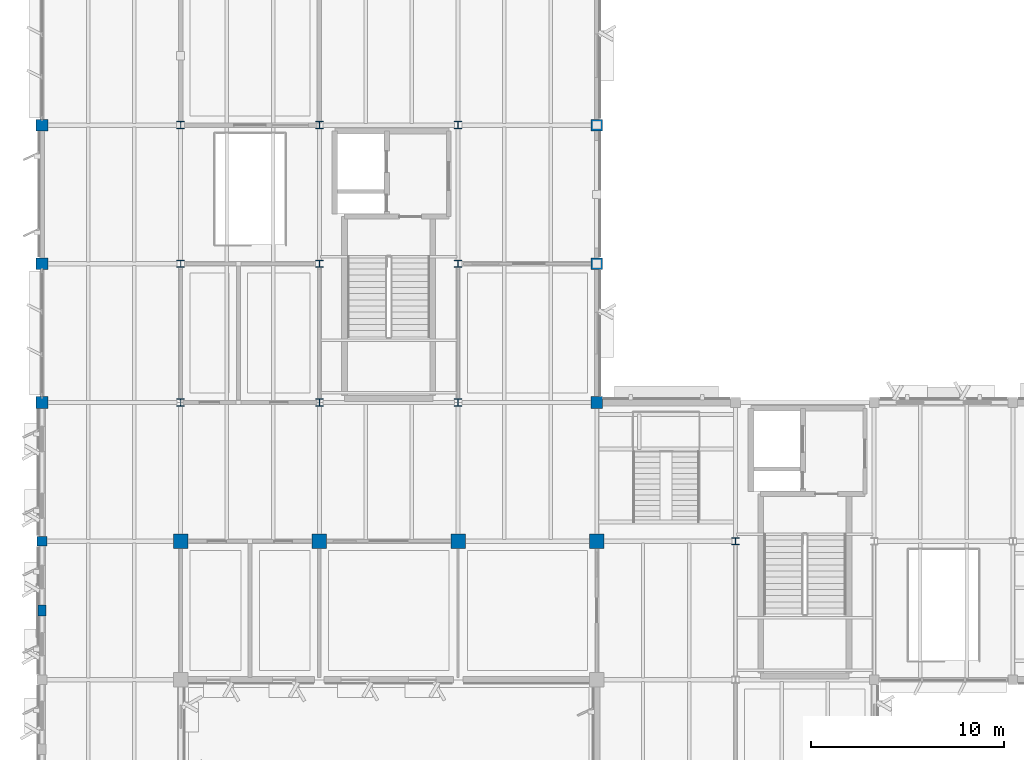
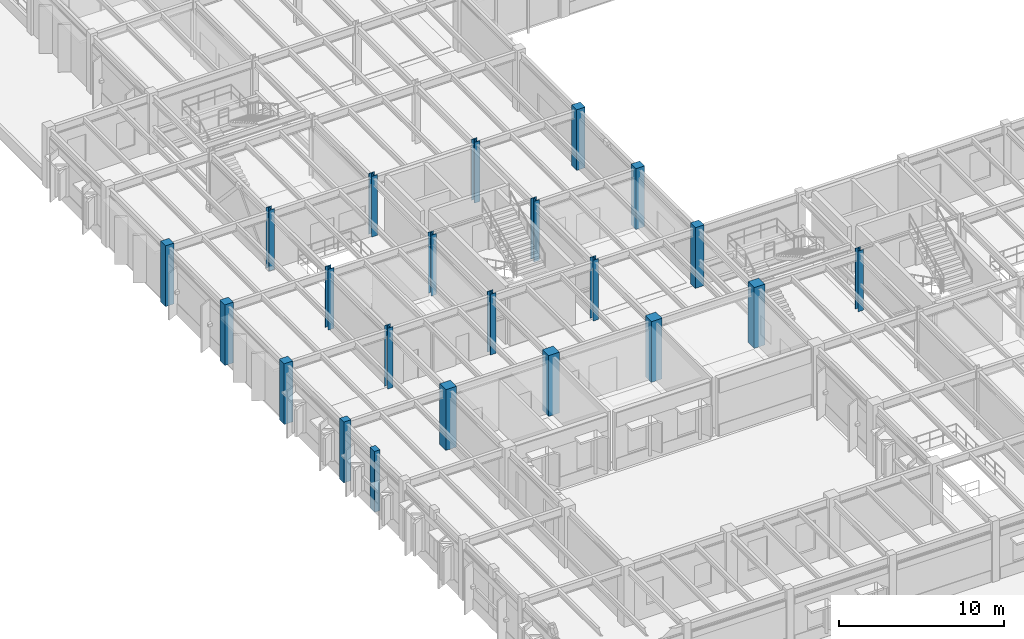
# One storey, part 3 of 92: 22 columns.
"""IFC4 building model written with IfcOpenShell, lengths in metres."""

from ifc_helpers import new_model, si_unit, direction, frame, origin, origin_2d, place, context, subcontext, project, spatial, rectangle, i_section, extrude, material, material_profile, profile_set, type_object, element, save


model = new_model("IFC4")

# Units and contexts
model_context = context("Model", 3, precision=1e-05, world=origin(), true_north=direction((0.0, 1.0)))
body_context = subcontext(model_context, "Body", "Model", "MODEL_VIEW")
ifc_project = project(units=[si_unit("LENGTHUNIT", "METRE"), si_unit("AREAUNIT", "SQUARE_METRE"), si_unit("VOLUMEUNIT", "CUBIC_METRE"), si_unit("PLANEANGLEUNIT", "RADIAN"), si_unit("MASSUNIT", "GRAM", prefix="KILO")], contexts=[model_context])

# Site, building, storey
site_placement = place(None, origin())
site = spatial("IfcSite", under=ifc_project, at=site_placement, CompositionType="ELEMENT")
building_placement = place(site_placement, origin())
building = spatial("IfcBuilding", under=site, at=building_placement, Name="Sillqori Civic Hall", CompositionType="ELEMENT")
storey_placement = place(building_placement, frame((0.0, 0.0, 5.39990234375)))
storey = spatial("IfcBuildingStorey", under=building, at=storey_placement, Name="L02", CompositionType="ELEMENT", Elevation=5.39990234375)

# Columns
ifc_material_1 = material(Name="Concrete C35/45 (H35)", Category="concrete")
ifc_material_profile_1 = material_profile(ifc_material_1, rectangle(XDim=0.5, YDim=0.5, at=origin_2d()), Name="RC 500x500")
ifc_profile_set_1 = profile_set([ifc_material_profile_1], Name="Concrete C35/45 (H35)")
column_type_1 = type_object("IfcColumnType", Name="COL-RC500", PredefinedType="COLUMN", material=ifc_profile_set_1)
column_1_placement = place(storey_placement, frame((7.199951171875, 43.199951171875, 0.0), z_axis=(0.0, 0.0, 1.0), x_axis=(1.0, 0.0, 0.0)))
element("IfcColumn", 1, at=column_1_placement, inside=storey, type_object=column_type_1, Name="L02 column 1-6", PredefinedType="COLUMN", context=body_context, shape_type="SweptSolid", body=[
    extrude(rectangle(XDim=0.5, YDim=0.5, at=origin_2d()), origin(), (0.0, 0.0, 1.0), 4.5),
])
ifc_material_profile_2 = material_profile(ifc_material_1, rectangle(XDim=0.60009765625, YDim=0.60009765625, at=origin_2d()), Name="RC 600x600")
ifc_profile_set_2 = profile_set([ifc_material_profile_2], Name="Concrete C35/45 (H35)")
column_type_2 = type_object("IfcColumnType", Name="COL-RC600", PredefinedType="COLUMN", material=ifc_profile_set_2)
for number, where, z_axis, x_axis, name in (
    (2, (7.199951171875, 50.39990234375, 0.0), (0.0, 0.0, 1.0), (1.0, 0.0, 0.0), "L02 column 1-7"),
    (3, (7.199951171875, 57.60009765625, 0.0), (0.0, 0.0, 1.0), (1.0, 0.0, 0.0), "L02 column 1-8"),
    (4, (7.199951171875, 64.800048828125, 0.0), (0.0, 0.0, 1.0), (1.0, 0.0, 0.0), "L02 column 1-9"),
    (5, (36.0, 50.39990234375, 0.0), (0.0, 0.0, 1.0), (1.0, 0.0, 0.0), "L02 column 5-7"),
    (6, (36.0, 57.60009765625, 0.0), (0.0, 0.0, 1.0), (1.0, 0.0, 0.0), "L02 column 5-8"),
    (7, (36.0, 64.800048828125, 0.0), (0.0, 0.0, 1.0), (1.0, 0.0, 0.0), "L02 column 5-9"),
):
    element("IfcColumn", number, at=place(storey_placement, frame(where, z_axis=z_axis, x_axis=x_axis)), inside=storey, type_object=column_type_2, Name=name, PredefinedType="COLUMN", context=body_context, shape_type="SweptSolid", body=[
        extrude(rectangle(XDim=0.60009765625, YDim=0.60009765625, at=origin_2d()), origin(), (0.0, 0.0, 1.0), 4.5),
    ])
ifc_material_profile_3 = material_profile(ifc_material_1, rectangle(XDim=0.75, YDim=0.75, at=origin_2d()), Name="RC 750x750")
ifc_profile_set_3 = profile_set([ifc_material_profile_3], Name="Concrete C35/45 (H35)")
column_type_3 = type_object("IfcColumnType", Name="COL-RC750", PredefinedType="COLUMN", material=ifc_profile_set_3)
for number, where, z_axis, x_axis, name in (
    (8, (14.39990234375, 43.199951171875, 0.0), (0.0, 0.0, 1.0), (1.0, 0.0, 0.0), "L02 column 2-6"),
    (9, (21.60009765625, 43.199951171875, 0.0), (0.0, 0.0, 1.0), (1.0, 0.0, 0.0), "L02 column 3-6"),
    (10, (28.800048828125, 43.199951171875, 0.0), (0.0, 0.0, 1.0), (1.0, 0.0, 0.0), "L02 column 4-6"),
    (11, (36.0, 43.199951171875, 0.0), (0.0, 0.0, 1.0), (1.0, 0.0, 0.0), "L02 column 5-6"),
):
    element("IfcColumn", number, at=place(storey_placement, frame(where, z_axis=z_axis, x_axis=x_axis)), inside=storey, type_object=column_type_3, Name=name, PredefinedType="COLUMN", context=body_context, shape_type="SweptSolid", body=[
        extrude(rectangle(XDim=0.75, YDim=0.75, at=origin_2d()), origin(), (0.0, 0.0, 1.0), 4.5),
    ])
ifc_material_2 = material(Name="Steel ASTM A992", Category="steel")
ifc_material_profile_4 = material_profile(ifc_material_2, i_section(OverallWidth=0.39404296875, OverallDepth=0.3759765625, WebThickness=0.017333984375, FlangeThickness=0.027587890625, FilletRadius=0.014892578125, at=origin_2d()), Name="W14X145")
ifc_profile_set_4 = profile_set([ifc_material_profile_4], Name="Steel ASTM A992")
column_type_4 = type_object("IfcColumnType", Name="COL-W14X145", PredefinedType="COLUMN", material=ifc_profile_set_4)
for number, where, z_axis, x_axis, name in (
    (12, (14.39990234375, 50.39990234375, 0.0), (0.0, 0.0, 1.0), (1.0, 0.0, 0.0), "L02 column 2-7"),
    (13, (14.39990234375, 57.60009765625, 0.0), (0.0, 0.0, 1.0), (1.0, 0.0, 0.0), "L02 column 2-8"),
    (14, (14.39990234375, 64.800048828125, 0.0), (0.0, 0.0, 1.0), (1.0, 0.0, 0.0), "L02 column 2-9"),
    (15, (21.60009765625, 50.39990234375, 0.0), (0.0, 0.0, 1.0), (1.0, 0.0, 0.0), "L02 column 3-7"),
    (16, (21.60009765625, 57.60009765625, 0.0), (0.0, 0.0, 1.0), (1.0, 0.0, 0.0), "L02 column 3-8"),
    (17, (21.60009765625, 64.800048828125, 0.0), (0.0, 0.0, 1.0), (1.0, 0.0, 0.0), "L02 column 3-9"),
    (18, (28.800048828125, 50.39990234375, 0.0), (0.0, 0.0, 1.0), (1.0, 0.0, 0.0), "L02 column 4-7"),
    (19, (28.800048828125, 57.60009765625, 0.0), (0.0, 0.0, 1.0), (1.0, 0.0, 0.0), "L02 column 4-8"),
    (20, (28.800048828125, 64.800048828125, 0.0), (0.0, 0.0, 1.0), (1.0, 0.0, 0.0), "L02 column 4-9"),
):
    element("IfcColumn", number, at=place(storey_placement, frame(where, z_axis=z_axis, x_axis=x_axis)), inside=storey, type_object=column_type_4, Name=name, PredefinedType="COLUMN", context=body_context, shape_type="SweptSolid", body=[
        extrude(i_section(OverallWidth=0.39404296875, OverallDepth=0.3759765625, WebThickness=0.017333984375, FlangeThickness=0.027587890625, FilletRadius=0.014892578125, at=origin_2d()), origin(), (0.0, 0.0, 1.0), 4.5),
    ])
ifc_material_profile_5 = material_profile(ifc_material_2, i_section(OverallWidth=0.37109375, OverallDepth=0.361083984375, WebThickness=0.012451171875, FlangeThickness=0.019775390625, FilletRadius=0.014892578125, at=origin_2d()), Name="W14X99")
ifc_profile_set_5 = profile_set([ifc_material_profile_5], Name="Steel ASTM A992")
column_type_5 = type_object("IfcColumnType", Name="COL-W14X99", PredefinedType="COLUMN", material=ifc_profile_set_5)
column_2_placement = place(storey_placement, frame((43.199951171875, 43.199951171875, 0.0), z_axis=(0.0, 0.0, 1.0), x_axis=(1.0, 0.0, 0.0)))
element("IfcColumn", 21, at=column_2_placement, inside=storey, type_object=column_type_5, Name="L02 column 6-6", PredefinedType="COLUMN", context=body_context, shape_type="SweptSolid", body=[
    extrude(i_section(OverallWidth=0.37109375, OverallDepth=0.361083984375, WebThickness=0.012451171875, FlangeThickness=0.019775390625, FilletRadius=0.014892578125, at=origin_2d()), origin(), (0.0, 0.0, 1.0), 4.5),
])
ifc_material_profile_6 = material_profile(ifc_material_1, rectangle(XDim=0.39990234375, YDim=0.550048828125, at=origin_2d()), Name="RC 400x550")
ifc_profile_set_6 = profile_set([ifc_material_profile_6], Name="Concrete C35/45 (H35)")
column_type_6 = type_object("IfcColumnType", Name="PIL-RC400", PredefinedType="PILASTER", material=ifc_profile_set_6)
column_3_placement = place(storey_placement, frame((7.199951171875, 39.60009765625, 0.0), z_axis=(0.0, 0.0, 1.0), x_axis=(1.0, 0.0, 0.0)))
element("IfcColumn", 22, at=column_3_placement, inside=storey, type_object=column_type_6, Name="L02 facade pilaster 05", PredefinedType="PILASTER", context=body_context, shape_type="SweptSolid", body=[
    extrude(rectangle(XDim=0.39990234375, YDim=0.550048828125, at=origin_2d()), origin(), (0.0, 0.0, 1.0), 4.5),
])

save(model, "model.ifc")
